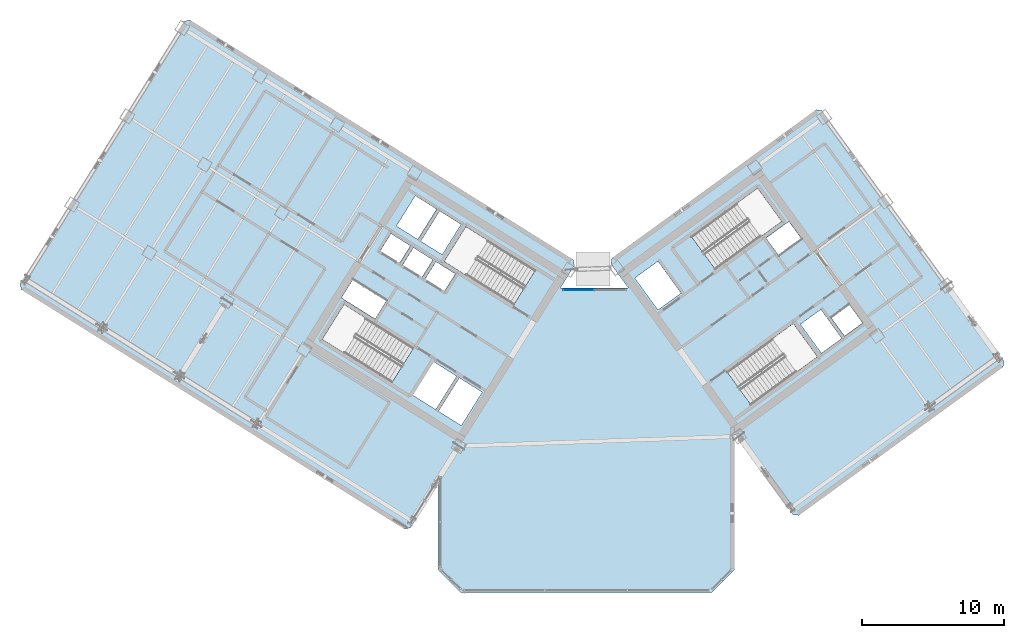
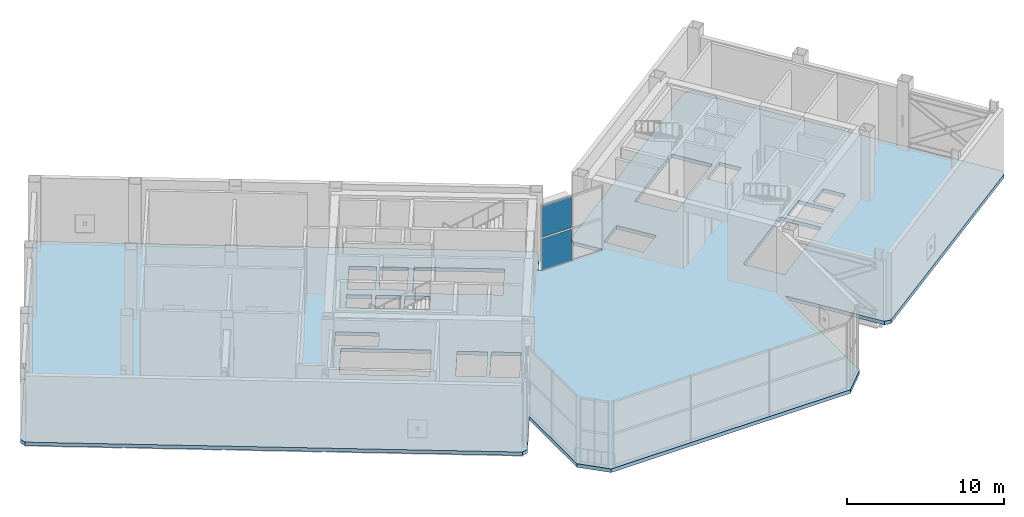
# One storey, part 16 of 30: 2 plates, 1 slab, 1 element without a shape of its own.
"""IFC4 building model written with IfcOpenShell, lengths in metres."""

from ifc_helpers import new_model, si_unit, direction, frame, origin, origin_2d, place, context, subcontext, project, spatial, polyline, rectangle, outline, extrude, source, transform, mapped, material, layer, layer_set, type_object, element, aggregate, save


model = new_model("IFC4")

# Units and contexts
model_context = context("Model", 3, precision=1e-05, world=origin(), true_north=direction((0.0, 1.0)))
body_context = subcontext(model_context, "Body", "Model", "MODEL_VIEW")
ifc_project = project(units=[si_unit("LENGTHUNIT", "METRE"), si_unit("AREAUNIT", "SQUARE_METRE"), si_unit("VOLUMEUNIT", "CUBIC_METRE"), si_unit("PLANEANGLEUNIT", "RADIAN"), si_unit("MASSUNIT", "GRAM", prefix="KILO")], contexts=[model_context])

# Site, building, storey
site_placement = place(None, origin())
site = spatial("IfcSite", under=ifc_project, at=site_placement, CompositionType="ELEMENT")
building_placement = place(site_placement, origin())
building = spatial("IfcBuilding", under=site, at=building_placement, Name="Tlacorven Tower", CompositionType="ELEMENT")
storey_placement = place(building_placement, frame((0.0, 0.0, 169.5)))
storey = spatial("IfcBuildingStorey", under=building, at=storey_placement, Name="L43", CompositionType="ELEMENT", Elevation=169.5)

# Slab
ifc_material_1 = material(Name="Concrete C50/60", Category="concrete")
ifc_layer_1 = layer(ifc_material_1, 0.280029296875)
ifc_layer_set_1 = layer_set([ifc_layer_1], Name="Concrete C50/60")
slab_type = type_object("IfcSlabType", Name="SL-WND-280", PredefinedType="FLOOR", material=ifc_layer_set_1)
slab_placement = place(storey_placement, frame((0.0, 0.0, -0.280029296875)))
element("IfcSlab", 1, at=slab_placement, inside=storey, type_object=slab_type, Name="L43 Boomerang Tower Floor Slab", PredefinedType="FLOOR", context=body_context, shape_type="SweptSolid", body=[
    extrude(outline(polyline([(52.39990234375, 3.39990234375), (50.800048828125, 1.800048828125), (33.199951171875, 1.800048828125), (31.60009765625, 3.39990234375), (31.60009765625, 9.470703125), (29.652587890625, 6.35400390625), (29.2392578125, 6.258544921875), (2.339111328125, 23.067626953125), (2.24365234375, 23.481201171875), (13.75341796875, 41.900634765625), (14.1669921875, 41.99609375), (41.06689453125, 25.18701171875), (41.162353515625, 24.773681640625), (40.178955078125, 23.199951171875), (44.932373046875, 23.199951171875), (43.723876953125, 24.86328125), (43.790283203125, 25.2822265625), (58.1259765625, 35.69775390625), (58.545166015625, 35.63134765625), (71.311767578125, 18.0595703125), (71.245361328125, 17.640380859375), (56.90966796875, 7.224853515625), (56.49072265625, 7.291259765625), (52.39990234375, 12.921630859375), (52.39990234375, 3.39990234375)]), holes=[polyline([(29.865478515625, 18.979736328125), (24.9892578125, 22.02685546875), (23.463134765625, 19.58447265625), (28.33935546875, 16.537353515625), (29.865478515625, 18.979736328125)]), polyline([(38.4169921875, 24.4375), (33.540771484375, 27.484375), (32.0146484375, 25.0419921875), (36.890869140625, 21.9951171875), (38.4169921875, 24.4375)]), polyline([(51.05908203125, 24.481689453125), (55.7109375, 27.861572265625), (54.01806640625, 30.19140625), (49.3662109375, 26.811767578125), (51.05908203125, 24.481689453125)]), polyline([(53.56298828125, 14.978759765625), (58.21484375, 18.3583984375), (56.52197265625, 20.6884765625), (51.8701171875, 17.30859375), (53.56298828125, 14.978759765625)]), polyline([(34.682373046875, 15.87548828125), (33.088134765625, 16.871826171875), (31.62548828125, 14.531005859375), (33.2197265625, 13.534912109375), (34.682373046875, 15.87548828125)]), polyline([(32.884521484375, 16.9990234375), (31.2392578125, 18.02685546875), (29.77685546875, 15.686279296875), (31.421875, 14.658203125), (32.884521484375, 16.9990234375)]), polyline([(47.0234375, 21.648681640625), (48.6416015625, 22.82421875), (47.019287109375, 25.05712890625), (45.401123046875, 23.881591796875), (47.0234375, 21.648681640625)]), polyline([(33.197265625, 27.65185546875), (31.704833984375, 28.58447265625), (30.3798828125, 26.46435546875), (31.87255859375, 25.53173828125), (33.197265625, 27.65185546875)]), polyline([(31.484375, 28.722412109375), (29.99169921875, 29.655029296875), (28.6669921875, 27.534912109375), (30.159423828125, 26.602294921875), (31.484375, 28.722412109375)]), polyline([(32.794921875, 24.17724609375), (31.43798828125, 25.025146484375), (30.685546875, 23.82080078125), (32.042236328125, 22.972900390625), (32.794921875, 24.17724609375)]), polyline([(31.217529296875, 25.162841796875), (29.860595703125, 26.0107421875), (29.108154296875, 24.806396484375), (30.465087890625, 23.958740234375), (31.217529296875, 25.162841796875)]), polyline([(29.64013671875, 26.1484375), (28.283203125, 26.996337890625), (27.53076171875, 25.792236328125), (28.8876953125, 24.9443359375), (29.64013671875, 26.1484375)]), polyline([(58.498779296875, 18.614013671875), (59.922607421875, 19.648681640625), (58.453125, 21.671142578125), (57.029296875, 20.63671875), (58.498779296875, 18.614013671875)]), polyline([(27.96142578125, 22.2919921875), (25.603759765625, 23.76513671875), (24.80908203125, 22.4931640625), (27.16650390625, 21.02001953125), (27.96142578125, 22.2919921875)]), polyline([(55.490478515625, 25.4765625), (57.092529296875, 26.640380859375), (56.210693359375, 27.85400390625), (54.60888671875, 26.690185546875), (55.490478515625, 25.4765625)]), polyline([(60.12109375, 19.817626953125), (61.38330078125, 20.734619140625), (60.45458984375, 22.012939453125), (59.192626953125, 21.095947265625), (60.12109375, 19.817626953125)])]), origin(), (0.0, 0.0, 1.0), 0.280029296875),
])

# Curtain wall, plates
ifc_material_2 = material(Name="Dark solar low-E double glazing in aluminium frame", Category="aluminium")
curtain_wall_type = type_object("IfcCurtainWallType", Name="CW-TWR-MID", PredefinedType="USERDEFINED", material=ifc_material_2)
curtain_wall_placement = place(storey_placement, origin())
curtain_wall = element("IfcCurtainWall", 2, at=curtain_wall_placement, inside=storey, type_object=curtain_wall_type, Name="L43 CW-TWR-MID Curtain Wall 201", ObjectType="UNITISED CURTAIN WALL", PredefinedType="USERDEFINED")
ifc_material_3 = material(Name="High-wind dark solar tempered low-E glazing", Category="glass")
ifc_layer_2 = layer(ifc_material_3, 0.028076171875)
ifc_layer_set_2 = layer_set([ifc_layer_2], Name="High-wind dark solar tempered low-E glazing")
plate_type = type_object("IfcPlateType", Name="CWP-03", PredefinedType="CURTAIN_PANEL", material=ifc_layer_set_2)
shared_shape = source(origin(), body_context, "Body", "SweptSolid", [
    extrude(rectangle(XDim=2.178466796875, YDim=0.028076171875, at=origin_2d()), origin(), (0.0, 0.0, 1.0), 2.452880859375),
])
plate_1_placement = place(storey_placement, frame((41.447998046875, 23.0400390625, 0.06103515625), z_axis=(0.0, 0.0, 1.0), x_axis=(1.0, 0.0, 0.0)))
plate_1 = element("IfcPlate", 3, at=plate_1_placement, type_object=plate_type, Name="CW-L43-201 Glazing Panel 1", PredefinedType="CURTAIN_PANEL", context=body_context, shape_type="MappedRepresentation", body=[
    mapped(shared_shape, transform((0.0, 0.0, 0.0), scale=1.0)),
])
plate_2_placement = place(storey_placement, frame((41.447998046875, 23.0400390625, 2.63623046875), z_axis=(0.0, 0.0, 1.0), x_axis=(1.0, 0.0, 0.0)))
plate_2 = element("IfcPlate", 4, at=plate_2_placement, type_object=plate_type, Name="CW-L43-201 Glazing Panel 2", PredefinedType="CURTAIN_PANEL", context=body_context, shape_type="MappedRepresentation", body=[
    mapped(shared_shape, transform((0.0, 0.0, 0.0), scale=1.0)),
])
aggregate(curtain_wall, [plate_1, plate_2])

save(model, "model.ifc")
